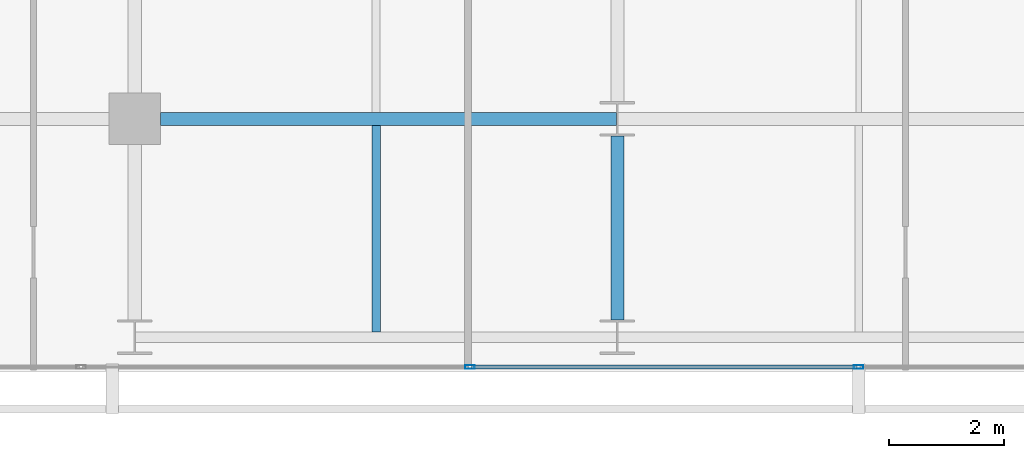
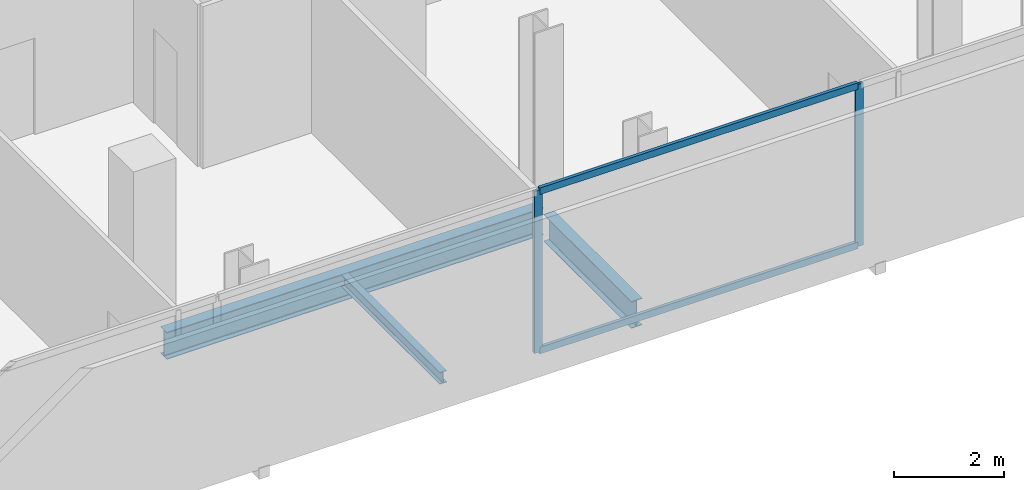
# One storey, part 6 of 33: 4 members, 3 beams, 1 element without a shape of its own.
"""IFC4 building model written with IfcOpenShell, lengths in metres."""

import ifcopenshell
import ifcopenshell.guid

model = None  # the IFC model being written
_history = None  # IfcOwnerHistory: only IFC2X3 demands one
_inside = {}  # id of a spatial element -> (the spatial element, [elements in it])
_under = {}  # id of a project, library or spatial element -> (it, [spatial elements below it])
_declared = {}  # id of a project -> (the project, [libraries it declares])
_typed = {}  # id of a type object -> (the type object, [elements of that type])
_made_of = {}  # id of a material, layer set ... -> (it, [elements and type objects made of it])


def new_model(schema):
    """Start an empty IFC model of exactly this schema.

    Asked for "IFC4X3", IfcOpenShell would pick the latest addendum, in which some entities
    have other attributes; the version numbers below select the first issue.
    IFC2X3 requires an IfcOwnerHistory on every rooted entity: one is made here for all.
    """
    global model, _history
    if schema == "IFC4X3":
        model = ifcopenshell.file(schema_version=(4, 3, 0, 0))
    else:
        model = ifcopenshell.file(schema=schema)
    _inside.clear()
    _under.clear()
    _declared.clear()
    _typed.clear()
    _made_of.clear()
    _history = None
    if model.schema == "IFC2X3":
        org = make("IfcOrganization", Name="unknown")
        user = make(
            "IfcPersonAndOrganization",
            ThePerson=make("IfcPerson", FamilyName="unknown"),
            TheOrganization=org,
        )
        app = make(
            "IfcApplication",
            ApplicationDeveloper=org,
            Version="unknown",
            ApplicationFullName="unknown",
            ApplicationIdentifier="unknown",
        )
        _history = make(
            "IfcOwnerHistory",
            OwningUser=user,
            OwningApplication=app,
            ChangeAction="ADDED",
            CreationDate=0,
        )
    return model


def make(cls, **values):
    """One entity of the class cls with the attributes given. An attribute that is None is left unset."""
    return model.create_entity(
        cls, **{name: value for name, value in values.items() if value is not None}
    )


def rooted(cls, **values):
    """An entity with a GlobalId (a new one), such as an element, a storey or a relation."""
    return make(cls, GlobalId=ifcopenshell.guid.new(), OwnerHistory=_history, **values)


def si_unit(unit_type, name, prefix=None):
    """IfcSIUnit, for example si_unit("LENGTHUNIT", "METRE", prefix="MILLI")."""
    return make("IfcSIUnit", UnitType=unit_type, Prefix=prefix, Name=name)


def assignment(units):
    """IfcUnitAssignment: the units of a project."""
    return None if units is None else make("IfcUnitAssignment", Units=units)


def point(xyz):
    """IfcCartesianPoint."""
    return None if xyz is None else make("IfcCartesianPoint", Coordinates=xyz)


def direction(xyz):
    """IfcDirection."""
    return None if xyz is None else make("IfcDirection", DirectionRatios=xyz)


def frame(location, z_axis=None, x_axis=None):
    """IfcAxis2Placement3D, a coordinate frame: its origin and axes. An axis left out is left unset."""
    return make(
        "IfcAxis2Placement3D",
        Location=point(location),
        Axis=direction(z_axis),
        RefDirection=direction(x_axis),
    )


def frame_2d(location, x_axis=None):
    """IfcAxis2Placement2D, a coordinate frame in the plane: its origin and x axis."""
    return make(
        "IfcAxis2Placement2D", Location=point(location), RefDirection=direction(x_axis)
    )


def origin():
    """The frame at (0, 0, 0) with its axes left unset."""
    return frame((0.0, 0.0, 0.0))


def origin_2d():
    """The frame at (0, 0) in the plane with its x axis left unset."""
    return frame_2d((0.0, 0.0))


def place(relative_to, where):
    """IfcLocalPlacement: puts the frame where relative to a parent placement (None: the world)."""
    return make(
        "IfcLocalPlacement", PlacementRelTo=relative_to, RelativePlacement=where
    )


def context(
    kind, dimensions, precision=None, world=None, true_north=None, identifier=None
):
    """IfcGeometricRepresentationContext, for example the 3D "Model" context."""
    return make(
        "IfcGeometricRepresentationContext",
        ContextIdentifier=identifier,
        ContextType=kind,
        CoordinateSpaceDimension=dimensions,
        Precision=precision,
        WorldCoordinateSystem=world,
        TrueNorth=true_north,
    )


def subcontext(parent, identifier, kind, view, scale=None):
    """IfcGeometricRepresentationSubContext, for example "Body" below "Model"."""
    return make(
        "IfcGeometricRepresentationSubContext",
        ContextIdentifier=identifier,
        ContextType=kind,
        ParentContext=parent,
        TargetScale=scale,
        TargetView=view,
    )


def project(units=None, contexts=None):
    """IfcProject with its units and contexts."""
    return rooted(
        "IfcProject",
        Name="project",
        RepresentationContexts=contexts,
        UnitsInContext=assignment(units),
    )


def spatial(cls, under=None, at=None, **own):
    """A site, building, storey or space (cls), placed at a placement, below another one or the project."""
    s = rooted(cls, ObjectPlacement=at, **own)
    if under is not None:
        _under.setdefault(under.id(), (under, []))[1].append(s)
    return s


def profile(cls, at=None, kind="AREA", **sizes):
    """A parametric profile (cls). Its sizes go by their IFC names, for example OverallWidth=200.0."""
    return make(cls, ProfileType=kind, Position=at, **sizes)


def hollow_rectangle(**sizes):
    """IfcRectangleHollowProfileDef."""
    return profile("IfcRectangleHollowProfileDef", **sizes)


def i_section(**sizes):
    """IfcIShapeProfileDef."""
    return profile("IfcIShapeProfileDef", **sizes)


def extrude(swept, where, along, depth):
    """IfcExtrudedAreaSolid: the profile swept, set in the frame where, extruded along a direction by depth."""
    return make(
        "IfcExtrudedAreaSolid",
        SweptArea=swept,
        Position=where,
        ExtrudedDirection=direction(along),
        Depth=depth,
    )


def shape(context_of_items, identifier, shape_type, items):
    """IfcShapeRepresentation: the items that make up one representation, for example the "Body"."""
    return make(
        "IfcShapeRepresentation",
        ContextOfItems=context_of_items,
        RepresentationIdentifier=identifier,
        RepresentationType=shape_type,
        Items=items,
    )


def material(Name=None, Category=None):
    """IfcMaterial."""
    return make("IfcMaterial", Name=Name, Category=Category)


def layer(
    of_material, thickness, ventilated=None, Name=None, Category=None, Priority=None
):
    """IfcMaterialLayer: one layer of a wall or slab, of a material (None: an air gap)."""
    return make(
        "IfcMaterialLayer",
        Material=of_material,
        LayerThickness=thickness,
        IsVentilated=ventilated,
        Name=Name,
        Category=Category,
        Priority=Priority,
    )


def layer_set(layers, Name=None):
    """IfcMaterialLayerSet."""
    return make("IfcMaterialLayerSet", MaterialLayers=layers, LayerSetName=Name)


def material_profile(
    of_material, cross_section, Name=None, Category=None, Priority=None
):
    """IfcMaterialProfile: a cross section and its material."""
    return make(
        "IfcMaterialProfile",
        Name=Name,
        Material=of_material,
        Profile=cross_section,
        Priority=Priority,
        Category=Category,
    )


def profile_set(profiles, Name=None, composite=None):
    """IfcMaterialProfileSet."""
    return make(
        "IfcMaterialProfileSet",
        Name=Name,
        MaterialProfiles=profiles,
        CompositeProfile=composite,
    )


def made_of(thing, what):
    """Note that an element or type object is made of a material, layer set ...; save() writes the relation."""
    if what is not None:
        _made_of.setdefault(what.id(), (what, []))[1].append(thing)
    return thing


def type_object(cls, material=None, **own):
    """A type object (cls), such as IfcWallType, which elements share."""
    return made_of(rooted(cls, **own), material)


def element(
    cls,
    number,
    at=None,
    inside=None,
    cuts=None,
    type_object=None,
    material=None,
    context=None,
    identifier="Body",
    shape_type=None,
    held_by="IfcProductDefinitionShape",
    body=None,
    shapes=None,
    **own,
):
    """One element of the class cls, such as IfcWall. Its Tag is "e" and its number.

    at: its placement. inside: the storey or other place that contains it. cuts: it is an
    opening in that element (IfcRelVoidsElement). A single representation is given by context,
    identifier, shape_type and body (its items); several are given by shapes. held_by: the class
    of the entity that holds the representations. save() writes the other relations.
    """
    e = rooted(cls, Tag="e%d" % number, ObjectPlacement=at, **own)
    if body is not None:
        shapes = [shape(context, identifier, shape_type, body)]
    if shapes is not None:
        e.Representation = make(held_by, Representations=shapes)
    if inside is not None:
        _inside.setdefault(inside.id(), (inside, []))[1].append(e)
    if cuts is not None:
        rooted(
            "IfcRelVoidsElement", RelatingBuildingElement=cuts, RelatedOpeningElement=e
        )
    if type_object is not None:
        _typed.setdefault(type_object.id(), (type_object, []))[1].append(e)
    return made_of(e, material)


def aggregate(whole, parts):
    """IfcRelAggregates: a whole, such as a stair, and the parts it consists of."""
    return rooted("IfcRelAggregates", RelatingObject=whole, RelatedObjects=parts)


def save(model, path):
    """Write the relations noted so far, then the file.

    IfcRelAggregates (storeys below a building ...), IfcRelContainedInSpatialStructure (elements
    in a storey), IfcRelDefinesByType, IfcRelAssociatesMaterial and IfcRelDeclares: one each for
    every whole, place, type object, material and project.
    """
    for whole, parts in _under.values():
        aggregate(whole, parts)
    for where, things in _inside.values():
        rooted(
            "IfcRelContainedInSpatialStructure",
            RelatedElements=things,
            RelatingStructure=where,
        )
    for kind, things in _typed.values():
        rooted("IfcRelDefinesByType", RelatedObjects=things, RelatingType=kind)
    for what, things in _made_of.values():
        rooted("IfcRelAssociatesMaterial", RelatedObjects=things, RelatingMaterial=what)
    for by, libraries in _declared.values():
        rooted("IfcRelDeclares", RelatingContext=by, RelatedDefinitions=libraries)
    model.write(path)


model = new_model("IFC4")

# Units and contexts
model_context = context("Model", 3, precision=1e-05, world=origin(), true_north=direction((0.0, 1.0)))
body_context = subcontext(model_context, "Body", "Model", "MODEL_VIEW")
ifc_project = project(units=[si_unit("LENGTHUNIT", "METRE"), si_unit("AREAUNIT", "SQUARE_METRE"), si_unit("VOLUMEUNIT", "CUBIC_METRE"), si_unit("PLANEANGLEUNIT", "RADIAN"), si_unit("MASSUNIT", "GRAM", prefix="KILO")], contexts=[model_context])

# Site, building, storey
site_placement = place(None, origin())
site = spatial("IfcSite", under=ifc_project, at=site_placement, CompositionType="ELEMENT")
building_placement = place(site_placement, origin())
building = spatial("IfcBuilding", under=site, at=building_placement, Name="Maruvema Waterfront Hotel and Observation Tower", CompositionType="ELEMENT")
storey_placement = place(building_placement, frame((0.0, 0.0, 169.75)))
storey = spatial("IfcBuildingStorey", under=building, at=storey_placement, Name="L41", CompositionType="ELEMENT", Elevation=169.75)

# Curtain wall, members
ifc_material_1 = material(Name="Anodised bronze aluminium and solar-control low-E IGU", Category="aluminium")
ifc_layer = layer(ifc_material_1, 0.159912109375, Name="Zone 2 Amber Inner Thermal Curtain Wall System CW-03")
ifc_layer_set = layer_set([ifc_layer], Name="Anodised bronze aluminium and solar-control low-E IGU")
curtain_wall_type = type_object("IfcCurtainWallType", Name="Zone 2 Amber Inner Thermal Curtain Wall System CW-03", PredefinedType="USERDEFINED", material=ifc_layer_set)
curtain_wall_placement = place(storey_placement, origin())
curtain_wall = element("IfcCurtainWall", 1, at=curtain_wall_placement, inside=storey, type_object=curtain_wall_type, Name="L41 Curtain Wall CW-L41-S", ObjectType="UNITISED CURTAIN WALL", PredefinedType="USERDEFINED")
ifc_material_2 = material(Name="Anodised architectural bronze aluminium", Category="aluminium")
ifc_material_profile_1 = material_profile(ifc_material_2, hollow_rectangle(XDim=0.070068359375, YDim=0.14990234375, WallThickness=0.00390625, at=origin_2d()), Name="ALU-T70x150")
ifc_profile_set_1 = profile_set([ifc_material_profile_1], Name="Anodised architectural bronze aluminium")
member_type_1 = type_object("IfcMemberType", Name="Curtain Wall Horizontal Transom ALU-T70x150", PredefinedType="USERDEFINED", material=ifc_profile_set_1)
member_1_placement = place(storey_placement, frame((31.063232421875, 4.679931640625, 0.030029296875), z_axis=(1.0, 0.0, 0.0), x_axis=(0.0, 1.0, 0.0)))
member_1 = element("IfcMember", 2, at=member_1_placement, type_object=member_type_1, Name="CW-03 transom 3.1", ObjectType="TRANSOM", PredefinedType="USERDEFINED", context=body_context, shape_type="SweptSolid", body=[
    extrude(hollow_rectangle(XDim=0.070068359375, YDim=0.14990234375, WallThickness=0.00390625, at=origin_2d()), origin(), (0.0, 0.0, 1.0), 6.706787109375),
])
member_2_placement = place(storey_placement, frame((31.063232421875, 4.679931640625, 3.580078125), z_axis=(1.0, 0.0, 0.0), x_axis=(0.0, 1.0, 0.0)))
member_2 = element("IfcMember", 3, at=member_2_placement, type_object=member_type_1, Name="CW-03 transom 3.2", ObjectType="TRANSOM", PredefinedType="USERDEFINED", context=body_context, shape_type="SweptSolid", body=[
    extrude(hollow_rectangle(XDim=0.070068359375, YDim=0.14990234375, WallThickness=0.00390625, at=origin_2d()), origin(), (0.0, 0.0, 1.0), 6.706787109375),
])
ifc_material_3 = material(Name="Anodised architectural bronze aluminium", Category="aluminium")
ifc_material_profile_2 = material_profile(ifc_material_3, hollow_rectangle(XDim=0.06494140625, YDim=0.1650390625, WallThickness=0.00390625, at=origin_2d()), Name="ALU-M65x165")
ifc_profile_set_2 = profile_set([ifc_material_profile_2], Name="Anodised architectural bronze aluminium")
member_type_2 = type_object("IfcMemberType", Name="Curtain Wall Primary Mullion ALU-M65x165", PredefinedType="MULLION", material=ifc_profile_set_2)
member_3_placement = place(storey_placement, frame((31.033447265625, 4.679931640625, 0.0), z_axis=(0.0, 0.0, 1.0), x_axis=(0.0, 1.0, 0.0)))
member_3 = element("IfcMember", 4, at=member_3_placement, type_object=member_type_2, Name="CW-03 mullion 3", PredefinedType="MULLION", context=body_context, shape_type="SweptSolid", body=[
    extrude(hollow_rectangle(XDim=0.06494140625, YDim=0.1650390625, WallThickness=0.00390625, at=origin_2d()), origin(), (0.0, 0.0, 1.0), 3.610107421875),
])
member_4_placement = place(storey_placement, frame((37.800048828125, 4.679931640625, 0.0), z_axis=(0.0, 0.0, 1.0), x_axis=(0.0, 1.0, 0.0)))
member_4 = element("IfcMember", 5, at=member_4_placement, type_object=member_type_2, Name="CW-03 mullion 4", PredefinedType="MULLION", context=body_context, shape_type="SweptSolid", body=[
    extrude(hollow_rectangle(XDim=0.06494140625, YDim=0.1650390625, WallThickness=0.00390625, at=origin_2d()), origin(), (0.0, 0.0, 1.0), 3.610107421875),
])
aggregate(curtain_wall, [member_3, member_4, member_1, member_2])

# Beams
ifc_material_4 = material(Name="Steel ASTM A572 Grade 50", Category="steel")
ifc_material_profile_3 = material_profile(ifc_material_4, i_section(OverallWidth=0.22802734375, OverallDepth=0.60302734375, WebThickness=0.010498046875, FlangeThickness=0.014892578125, FilletRadius=0.01806640625, at=origin_2d()), Name="W610x101.0")
ifc_profile_set_3 = profile_set([ifc_material_profile_3], Name="Steel ASTM A572 Grade 50")
beam_type_1 = type_object("IfcBeamType", Name="Primary Floor Girder W610x101.0", PredefinedType="BEAM", material=ifc_profile_set_3)
beam_1_placement = place(storey_placement, frame((25.64990234375, 9.0, -0.54150390625), z_axis=(1.0, 0.0, 0.0), x_axis=(0.0, 1.0, 0.0)))
element("IfcBeam", 6, at=beam_1_placement, inside=storey, type_object=beam_type_1, Name="L41 Floor Girder EW-06", PredefinedType="BEAM", context=body_context, shape_type="SweptSolid", body=[
    extrude(i_section(OverallWidth=0.22802734375, OverallDepth=0.60302734375, WebThickness=0.010498046875, FlangeThickness=0.014892578125, FilletRadius=0.01806640625, at=origin_2d()), origin(), (0.0, 0.0, 1.0), 7.9375),
])
beam_2_placement = place(storey_placement, frame((33.60009765625, 5.5, -0.54150390625), z_axis=(0.0, 1.0, 0.0), x_axis=(-1.0, 0.0, 0.0)))
element("IfcBeam", 7, at=beam_2_placement, inside=storey, type_object=beam_type_1, Name="L41 Floor Girder NS-14", PredefinedType="BEAM", context=body_context, shape_type="SweptSolid", body=[
    extrude(i_section(OverallWidth=0.22802734375, OverallDepth=0.60302734375, WebThickness=0.010498046875, FlangeThickness=0.014892578125, FilletRadius=0.01806640625, at=origin_2d()), origin(), (0.0, 0.0, 1.0), 3.199951171875),
])
ifc_material_5 = material(Name="Steel ASTM A572 Grade 50", Category="steel")
ifc_material_profile_4 = material_profile(ifc_material_5, i_section(OverallWidth=0.14794921875, OverallDepth=0.26611328125, WebThickness=0.007568359375, FlangeThickness=0.012939453125, FilletRadius=0.012939453125, at=origin_2d()), Name="W250x44.8")
ifc_profile_set_4 = profile_set([ifc_material_profile_4], Name="Steel ASTM A572 Grade 50")
beam_type_2 = type_object("IfcBeamType", Name="Secondary Floor Joist W250x44.8", PredefinedType="JOIST", material=ifc_profile_set_4)
beam_3_placement = place(storey_placement, frame((29.39990234375, 5.29052734375, -0.373046875), z_axis=(0.0, 1.0, 0.0), x_axis=(-1.0, 0.0, 0.0)))
element("IfcBeam", 8, at=beam_3_placement, inside=storey, type_object=beam_type_2, Name="L41 Secondary Floor Joist JS-05", PredefinedType="JOIST", context=body_context, shape_type="SweptSolid", body=[
    extrude(i_section(OverallWidth=0.14794921875, OverallDepth=0.26611328125, WebThickness=0.007568359375, FlangeThickness=0.012939453125, FilletRadius=0.012939453125, at=origin_2d()), origin(), (0.0, 0.0, 1.0), 3.595458984375),
])

save(model, "model.ifc")
